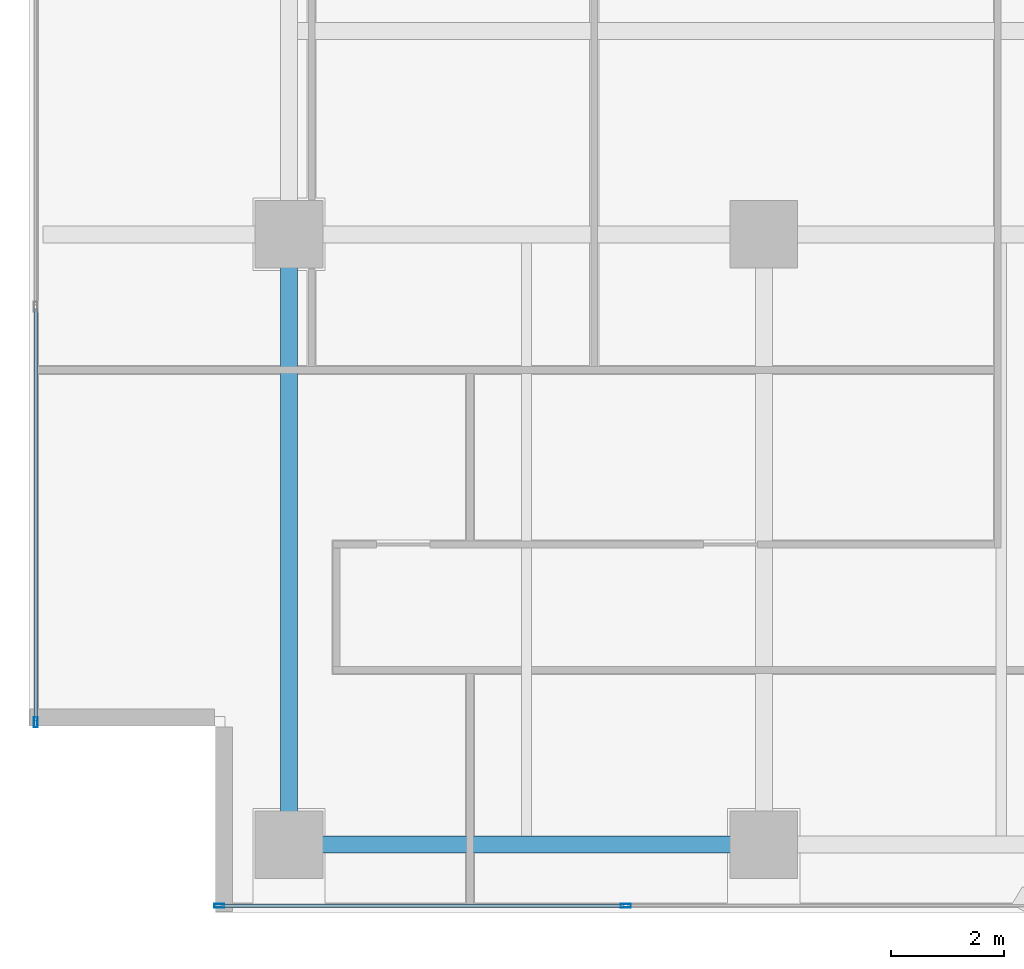
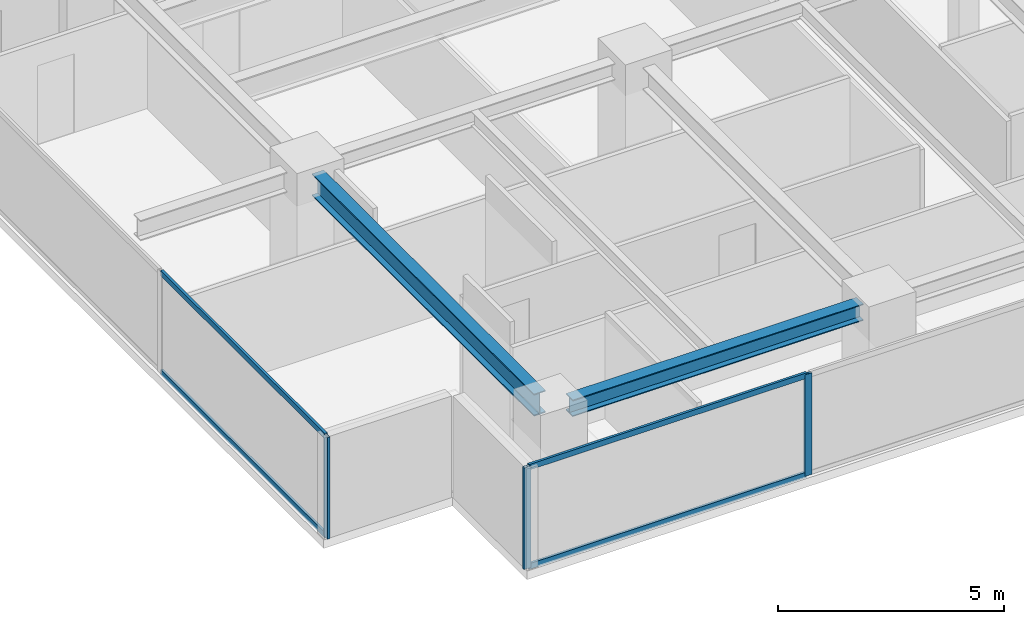
# One storey, part 2 of 23: 7 members, 2 beams, 2 elements without a shape of their own.
"""IFC4 building model written with IfcOpenShell, lengths in metres."""

from ifc_helpers import new_model, si_unit, direction, frame, origin, origin_2d, place, context, subcontext, project, spatial, hollow_rectangle, i_section, extrude, source, transform, mapped, material, layer, layer_set, material_profile, profile_set, type_object, element, aggregate, save


model = new_model("IFC4")

# Units and contexts
model_context = context("Model", 3, precision=1e-05, world=origin(), true_north=direction((0.0, 1.0)))
body_context = subcontext(model_context, "Body", "Model", "MODEL_VIEW")
ifc_project = project(units=[si_unit("LENGTHUNIT", "METRE"), si_unit("AREAUNIT", "SQUARE_METRE"), si_unit("VOLUMEUNIT", "CUBIC_METRE"), si_unit("PLANEANGLEUNIT", "RADIAN"), si_unit("MASSUNIT", "GRAM", prefix="KILO")], contexts=[model_context])

# Site, building, storey
site_placement = place(None, origin())
site = spatial("IfcSite", under=ifc_project, at=site_placement, CompositionType="ELEMENT")
building_placement = place(site_placement, origin())
building = spatial("IfcBuilding", under=site, at=building_placement, Name="Sumidabori Civic Tower", CompositionType="ELEMENT")
storey_placement = place(building_placement, frame((0.0, 0.0, 275.60009765625)))
storey = spatial("IfcBuildingStorey", under=building, at=storey_placement, Name="L72", CompositionType="ELEMENT", Elevation=275.60009765625)

# Beams
ifc_material_1 = material(Name="Steel SN490", Category="steel")
ifc_material_profile_1 = material_profile(ifc_material_1, i_section(OverallWidth=0.300048828125, OverallDepth=0.60009765625, WebThickness=0.015380859375, FlangeThickness=0.030029296875, at=origin_2d()), Name="HE 600 B")
ifc_profile_set_1 = profile_set([ifc_material_profile_1], Name="Steel SN490")
beam_type_1 = type_object("IfcBeamType", Name="BM-GIRD-600", PredefinedType="BEAM", material=ifc_profile_set_1)
shared_shape_1 = source(origin(), body_context, "Body", "SweptSolid", [
    extrude(i_section(OverallWidth=0.300048828125, OverallDepth=0.60009765625, WebThickness=0.015380859375, FlangeThickness=0.030029296875, at=origin_2d()), origin(), (0.0, 0.0, 1.0), 9.840087890625),
])
beam_1_placement = place(storey_placement, frame((-16.800048828125, -10.320068359375, 3.06982421875), z_axis=(0.0, 1.0, 0.0), x_axis=(-1.0, 0.0, 0.0)))
element("IfcBeam", 1, at=beam_1_placement, inside=storey, type_object=beam_type_1, Name="Primary Girder L72 GY-09", PredefinedType="BEAM", context=body_context, shape_type="MappedRepresentation", body=[
    mapped(shared_shape_1, transform((0.0, 0.0, 0.0), x_axis=(1.0, 0.0, 0.0), y_axis=(0.0, 1.0, 0.0), z_axis=(0.0, 0.0, 1.0), scale=1.0)),
])
ifc_material_profile_2 = material_profile(ifc_material_1, i_section(OverallWidth=0.300048828125, OverallDepth=0.449951171875, WebThickness=0.013916015625, FlangeThickness=0.02587890625, at=origin_2d()), Name="HE 450 B")
ifc_profile_set_2 = profile_set([ifc_material_profile_2], Name="Steel SN490")
beam_type_2 = type_object("IfcBeamType", Name="BM-GIRD-450", PredefinedType="BEAM", material=ifc_profile_set_2)
shared_shape_2 = source(origin(), body_context, "Body", "SweptSolid", [
    extrude(i_section(OverallWidth=0.300048828125, OverallDepth=0.449951171875, WebThickness=0.013916015625, FlangeThickness=0.02587890625, at=origin_2d()), origin(), (0.0, 0.0, 1.0), 7.440185546875),
])
beam_2_placement = place(storey_placement, frame((-16.320068359375, -10.800048828125, 3.14501953125), z_axis=(1.0, 0.0, 0.0), x_axis=(0.0, 1.0, 0.0)))
element("IfcBeam", 2, at=beam_2_placement, inside=storey, type_object=beam_type_2, Name="Primary Girder L72 GX-01", PredefinedType="BEAM", context=body_context, shape_type="MappedRepresentation", body=[
    mapped(shared_shape_2, transform((0.0, 0.0, 0.0), x_axis=(1.0, 0.0, 0.0), y_axis=(0.0, 1.0, 0.0), z_axis=(0.0, 0.0, 1.0), scale=1.0)),
])

# Curtain wall, members
ifc_material_2 = material(Name="Anodised Bronze Aluminium AW-6063-T6", Category="aluminium")
ifc_layer = layer(ifc_material_2, 0.179931640625, Name="Anodised Bronze Aluminium AW-6063-T6")
ifc_layer_set = layer_set([ifc_layer], Name="Anodised Bronze Aluminium AW-6063-T6")
curtain_wall_type = type_object("IfcCurtainWallType", Name="CW-SYS-6", PredefinedType="NOTDEFINED", material=ifc_layer_set)
curtain_wall_1_placement = place(storey_placement, origin())
curtain_wall_1 = element("IfcCurtainWall", 3, at=curtain_wall_1_placement, inside=storey, type_object=curtain_wall_type, Name="Curtain Wall CW:L72:R01", PredefinedType="NOTDEFINED")
ifc_material_profile_3 = material_profile(ifc_material_2, hollow_rectangle(XDim=0.070068359375, YDim=0.179931640625, WallThickness=0.006103515625, at=origin_2d()), Name="ALU MULLION 180x70")
ifc_profile_set_3 = profile_set([ifc_material_profile_3], Name="Anodised Bronze Aluminium AW-6063-T6")
member_type_1 = type_object("IfcMemberType", Name="CW-MUL-180", PredefinedType="MULLION", material=ifc_profile_set_3)
shared_shape_3 = source(origin(), body_context, "Body", "SweptSolid", [
    extrude(hollow_rectangle(XDim=0.070068359375, YDim=0.179931640625, WallThickness=0.006103515625, at=origin_2d()), origin(), (0.0, 0.0, 1.0), 2.75),
])
member_1_placement = place(storey_placement, frame((-18.034912109375, -11.8798828125, 0.0), z_axis=(0.0, 0.0, 1.0), x_axis=(0.0, 1.0, 0.0)))
member_1 = element("IfcMember", 4, at=member_1_placement, type_object=member_type_1, Name="CW-6 mullion 1", PredefinedType="MULLION", context=body_context, shape_type="MappedRepresentation", body=[
    mapped(shared_shape_3, transform((0.0, 0.0, 0.0), x_axis=(1.0, 0.0, 0.0), y_axis=(0.0, 1.0, 0.0), z_axis=(0.0, 0.0, 1.0), scale=1.0)),
])
member_2_placement = place(storey_placement, frame((-10.842041015625, -11.8798828125, 0.0), z_axis=(0.0, 0.0, 1.0), x_axis=(0.0, 1.0, 0.0)))
member_2 = element("IfcMember", 5, at=member_2_placement, type_object=member_type_1, Name="CW-6 mullion 2", PredefinedType="MULLION", context=body_context, shape_type="MappedRepresentation", body=[
    mapped(shared_shape_3, transform((0.0, 0.0, 0.0), x_axis=(1.0, 0.0, 0.0), y_axis=(0.0, 1.0, 0.0), z_axis=(0.0, 0.0, 1.0), scale=1.0)),
])

# Curtain wall, member
curtain_wall_2_placement = place(storey_placement, origin())
curtain_wall_2 = element("IfcCurtainWall", 6, at=curtain_wall_2_placement, inside=storey, type_object=curtain_wall_type, Name="Curtain Wall CW:L72:R10", PredefinedType="NOTDEFINED")
member_3_placement = place(storey_placement, frame((-21.280029296875, -8.635009765625, 0.0), z_axis=(0.0, 0.0, 1.0), x_axis=(1.0, 0.0, 0.0)))
member_3 = element("IfcMember", 7, at=member_3_placement, type_object=member_type_1, Name="CW-6 mullion 5", PredefinedType="MULLION", context=body_context, shape_type="MappedRepresentation", body=[
    mapped(shared_shape_3, transform((0.0, 0.0, 0.0), x_axis=(1.0, 0.0, 0.0), y_axis=(0.0, 1.0, 0.0), z_axis=(0.0, 0.0, 1.0), scale=1.0)),
])

# Member
ifc_material_profile_4 = material_profile(ifc_material_2, hollow_rectangle(XDim=0.06494140625, YDim=0.14990234375, WallThickness=0.0048828125, at=origin_2d()), Name="ALU TRANSOM 150x65")
ifc_profile_set_4 = profile_set([ifc_material_profile_4], Name="Anodised Bronze Aluminium AW-6063-T6")
member_type_2 = type_object("IfcMemberType", Name="CW-TRN-150", PredefinedType="USERDEFINED", material=ifc_profile_set_4)
shared_shape_4 = source(origin(), body_context, "Body", "SweptSolid", [
    extrude(hollow_rectangle(XDim=0.06494140625, YDim=0.14990234375, WallThickness=0.0048828125, at=origin_2d()), origin(), (0.0, 0.0, 1.0), 7.123046875),
])
member_4_placement = place(storey_placement, frame((-18.0, -11.8798828125, 0.032470703125), z_axis=(1.0, 0.0, 0.0), x_axis=(0.0, 1.0, 0.0)))
member_4 = element("IfcMember", 8, at=member_4_placement, type_object=member_type_2, Name="CW-6 transom 1.1", ObjectType="TRANSOM", PredefinedType="USERDEFINED", context=body_context, shape_type="MappedRepresentation", body=[
    mapped(shared_shape_4, transform((0.0, 0.0, 0.0), x_axis=(1.0, 0.0, 0.0), y_axis=(0.0, 1.0, 0.0), z_axis=(0.0, 0.0, 1.0), scale=1.0)),
])

member_5_placement = place(storey_placement, frame((-18.0, -11.8798828125, 2.71728515625), z_axis=(1.0, 0.0, 0.0), x_axis=(0.0, 1.0, 0.0)))
member_5 = element("IfcMember", 9, at=member_5_placement, type_object=member_type_2, Name="CW-6 transom 1.2", ObjectType="TRANSOM", PredefinedType="USERDEFINED", context=body_context, shape_type="MappedRepresentation", body=[
    mapped(shared_shape_4, transform((0.0, 0.0, 0.0), x_axis=(1.0, 0.0, 0.0), y_axis=(0.0, 1.0, 0.0), z_axis=(0.0, 0.0, 1.0), scale=1.0)),
])

aggregate(curtain_wall_1, [member_1, member_2, member_4, member_5])

shared_shape_5 = source(origin(), body_context, "Body", "SweptSolid", [
    extrude(hollow_rectangle(XDim=0.06494140625, YDim=0.14990234375, WallThickness=0.0048828125, at=origin_2d()), origin(), (0.0, 0.0, 1.0), 7.280029296875),
])
member_6_placement = place(storey_placement, frame((-21.280029296875, -1.320068359375, 0.032470703125), z_axis=(0.0, -1.0, 0.0), x_axis=(1.0, 0.0, 0.0)))
member_6 = element("IfcMember", 10, at=member_6_placement, type_object=member_type_2, Name="CW-6 transom 4.1", ObjectType="TRANSOM", PredefinedType="USERDEFINED", context=body_context, shape_type="MappedRepresentation", body=[
    mapped(shared_shape_5, transform((0.0, 0.0, 0.0), x_axis=(1.0, 0.0, 0.0), y_axis=(0.0, 1.0, 0.0), z_axis=(0.0, 0.0, 1.0), scale=1.0)),
])

member_7_placement = place(storey_placement, frame((-21.280029296875, -1.320068359375, 2.71728515625), z_axis=(0.0, -1.0, 0.0), x_axis=(1.0, 0.0, 0.0)))
member_7 = element("IfcMember", 11, at=member_7_placement, type_object=member_type_2, Name="CW-6 transom 4.2", ObjectType="TRANSOM", PredefinedType="USERDEFINED", context=body_context, shape_type="MappedRepresentation", body=[
    mapped(shared_shape_5, transform((0.0, 0.0, 0.0), x_axis=(1.0, 0.0, 0.0), y_axis=(0.0, 1.0, 0.0), z_axis=(0.0, 0.0, 1.0), scale=1.0)),
])

aggregate(curtain_wall_2, [member_3, member_6, member_7])

save(model, "model.ifc")
